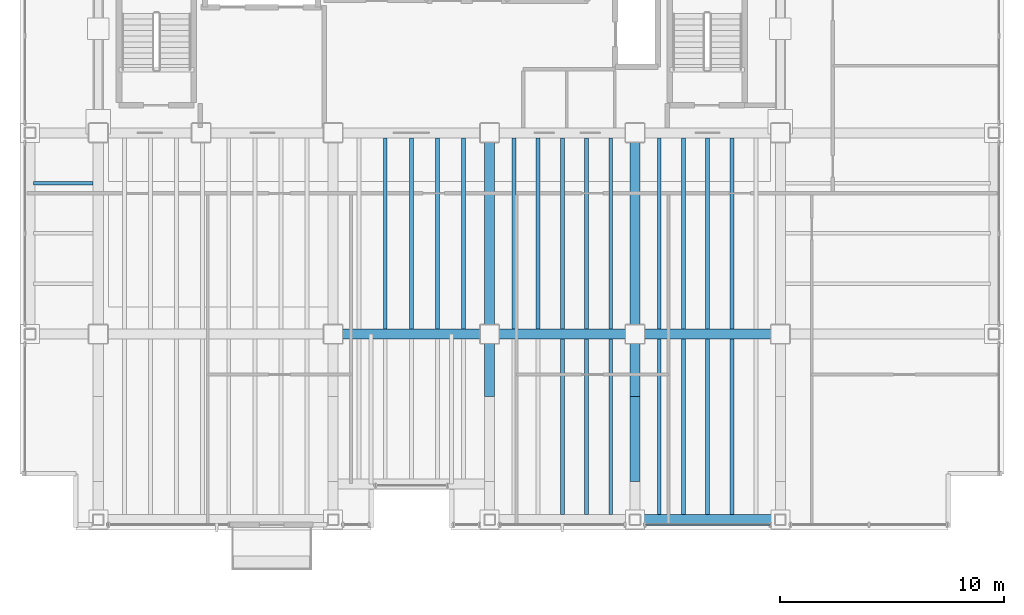
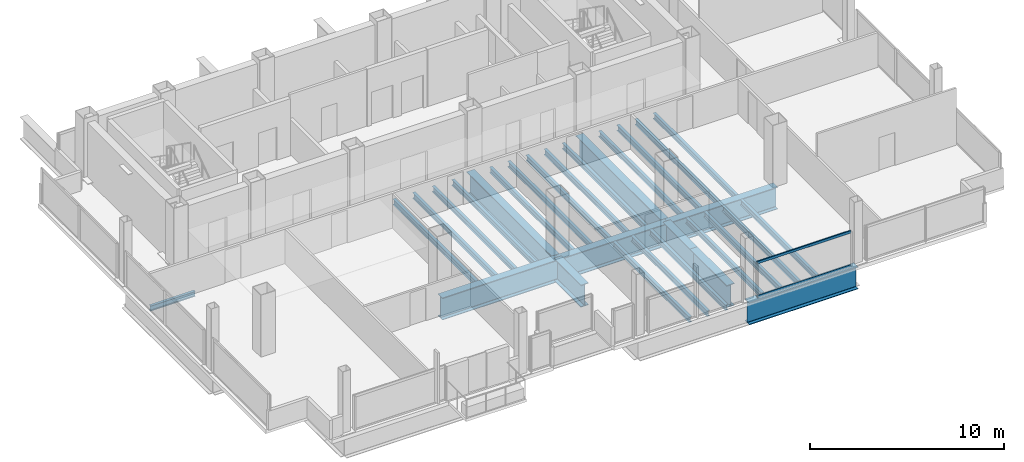
# One storey, part 5 of 17: 30 beams, 2 members, 1 element without a shape of its own.
"""IFC4 building model written with IfcOpenShell, lengths in metres."""

from ifc_helpers import new_model, si_unit, direction, frame, origin, origin_2d, place, context, subcontext, project, spatial, hollow_rectangle, i_section, extrude, material, material_profile, profile_set, type_object, element, aggregate, save


model = new_model("IFC4")

# Units and contexts
model_context = context("Model", 3, precision=1e-05, world=origin(), true_north=direction((0.0, 1.0)))
body_context = subcontext(model_context, "Body", "Model", "MODEL_VIEW")
ifc_project = project(units=[si_unit("LENGTHUNIT", "METRE"), si_unit("AREAUNIT", "SQUARE_METRE"), si_unit("VOLUMEUNIT", "CUBIC_METRE"), si_unit("PLANEANGLEUNIT", "RADIAN"), si_unit("MASSUNIT", "GRAM", prefix="KILO")], contexts=[model_context])

# Site, building, storey
site_placement = place(None, origin())
site = spatial("IfcSite", under=ifc_project, at=site_placement, CompositionType="ELEMENT")
building_placement = place(site_placement, origin())
building = spatial("IfcBuilding", under=site, at=building_placement, Name="Noeulbin Bourse Tower", CompositionType="ELEMENT")
storey_placement = place(building_placement, frame((0.0, 0.0, 196.800048828125)))
storey = spatial("IfcBuildingStorey", under=building, at=storey_placement, Name="L49", CompositionType="ELEMENT", Elevation=196.800048828125)

# Beams
ifc_material_1 = material(Name="Steel S355", Category="steel")
ifc_material_profile_1 = material_profile(ifc_material_1, i_section(OverallWidth=0.159912109375, OverallDepth=0.320068359375, WebThickness=0.006591796875, FlangeThickness=0.010009765625, FilletRadius=0.012939453125, at=origin_2d()), Name="H-320x160x6.5x10", Category="LoadBearing")
ifc_profile_set_1 = profile_set([ifc_material_profile_1], Name="Steel S355")
beam_type_1 = type_object("IfcBeamType", Name="BM-JST-320", PredefinedType="JOIST", material=ifc_profile_set_1)
beam_1_placement = place(storey_placement, frame((10.60009765625, 26.75, -0.400146484375), z_axis=(1.0, 0.0, 0.0), x_axis=(0.0, 1.0, 0.0)))
element("IfcBeam", 1, at=beam_1_placement, inside=storey, type_object=beam_type_1, Name="Wing Composite Joist L49-W49", PredefinedType="JOIST", context=body_context, shape_type="SweptSolid", body=[
    extrude(i_section(OverallWidth=0.159912109375, OverallDepth=0.320068359375, WebThickness=0.006591796875, FlangeThickness=0.010009765625, FilletRadius=0.012939453125, at=origin_2d()), origin(), (0.0, 0.0, 1.0), 2.6748046875),
])
ifc_material_profile_2 = material_profile(ifc_material_1, i_section(OverallWidth=0.175048828125, OverallDepth=0.35009765625, WebThickness=0.007080078125, FlangeThickness=0.010986328125, FilletRadius=0.013916015625, at=origin_2d()), Name="H-350x175x7x11", Category="LoadBearing")
ifc_profile_set_2 = profile_set([ifc_material_profile_2], Name="Steel S355")
beam_type_2 = type_object("IfcBeamType", Name="BM-JST-350", PredefinedType="JOIST", material=ifc_profile_set_2)
for number, where, z_axis, x_axis, name in (
    (2, (26.333251953125, 20.22509765625, -0.4150390625), (0.0, 1.0, 0.0), (-1.0, 0.0, 0.0), "Tower Composite Joist L49-20"),
    (3, (27.5, 20.22509765625, -0.4150390625), (0.0, 1.0, 0.0), (-1.0, 0.0, 0.0), "Tower Composite Joist L49-22"),
    (4, (28.666748046875, 20.22509765625, -0.4150390625), (0.0, 1.0, 0.0), (-1.0, 0.0, 0.0), "Tower Composite Joist L49-24"),
    (5, (29.833251953125, 20.22509765625, -0.4150390625), (0.0, 1.0, 0.0), (-1.0, 0.0, 0.0), "Tower Composite Joist L49-26"),
    (6, (32.083251953125, 20.22509765625, -0.4150390625), (0.0, 1.0, 0.0), (-1.0, 0.0, 0.0), "Tower Composite Joist L49-28"),
    (7, (33.166748046875, 20.22509765625, -0.4150390625), (0.0, 1.0, 0.0), (-1.0, 0.0, 0.0), "Tower Composite Joist L49-30"),
):
    element("IfcBeam", number, at=place(storey_placement, frame(where, z_axis=z_axis, x_axis=x_axis)), inside=storey, type_object=beam_type_2, Name=name, PredefinedType="JOIST", context=body_context, shape_type="SweptSolid", body=[
        extrude(i_section(OverallWidth=0.175048828125, OverallDepth=0.35009765625, WebThickness=0.007080078125, FlangeThickness=0.010986328125, FilletRadius=0.013916015625, at=origin_2d()), origin(), (0.0, 0.0, 1.0), 8.5498046875),
    ])
beam_2_placement = place(storey_placement, frame((34.25, 11.925048828125, -0.4150390625), z_axis=(0.0, 1.0, 0.0), x_axis=(-1.0, 0.0, 0.0)))
element("IfcBeam", 8, at=beam_2_placement, inside=storey, type_object=beam_type_2, Name="Tower Composite Joist L49-31", PredefinedType="JOIST", context=body_context, shape_type="SweptSolid", body=[
    extrude(i_section(OverallWidth=0.175048828125, OverallDepth=0.35009765625, WebThickness=0.007080078125, FlangeThickness=0.010986328125, FilletRadius=0.013916015625, at=origin_2d()), origin(), (0.0, 0.0, 1.0), 7.849853515625),
])
beam_3_placement = place(storey_placement, frame((34.25, 20.22509765625, -0.4150390625), z_axis=(0.0, 1.0, 0.0), x_axis=(-1.0, 0.0, 0.0)))
element("IfcBeam", 9, at=beam_3_placement, inside=storey, type_object=beam_type_2, Name="Tower Composite Joist L49-32", PredefinedType="JOIST", context=body_context, shape_type="SweptSolid", body=[
    extrude(i_section(OverallWidth=0.175048828125, OverallDepth=0.35009765625, WebThickness=0.007080078125, FlangeThickness=0.010986328125, FilletRadius=0.013916015625, at=origin_2d()), origin(), (0.0, 0.0, 1.0), 8.5498046875),
])
beam_4_placement = place(storey_placement, frame((35.333251953125, 11.925048828125, -0.4150390625), z_axis=(0.0, 1.0, 0.0), x_axis=(-1.0, 0.0, 0.0)))
element("IfcBeam", 10, at=beam_4_placement, inside=storey, type_object=beam_type_2, Name="Tower Composite Joist L49-33", PredefinedType="JOIST", context=body_context, shape_type="SweptSolid", body=[
    extrude(i_section(OverallWidth=0.175048828125, OverallDepth=0.35009765625, WebThickness=0.007080078125, FlangeThickness=0.010986328125, FilletRadius=0.013916015625, at=origin_2d()), origin(), (0.0, 0.0, 1.0), 7.849853515625),
])
beam_5_placement = place(storey_placement, frame((35.333251953125, 20.22509765625, -0.4150390625), z_axis=(0.0, 1.0, 0.0), x_axis=(-1.0, 0.0, 0.0)))
element("IfcBeam", 11, at=beam_5_placement, inside=storey, type_object=beam_type_2, Name="Tower Composite Joist L49-34", PredefinedType="JOIST", context=body_context, shape_type="SweptSolid", body=[
    extrude(i_section(OverallWidth=0.175048828125, OverallDepth=0.35009765625, WebThickness=0.007080078125, FlangeThickness=0.010986328125, FilletRadius=0.013916015625, at=origin_2d()), origin(), (0.0, 0.0, 1.0), 8.5498046875),
])
beam_6_placement = place(storey_placement, frame((36.416748046875, 11.925048828125, -0.4150390625), z_axis=(0.0, 1.0, 0.0), x_axis=(-1.0, 0.0, 0.0)))
element("IfcBeam", 12, at=beam_6_placement, inside=storey, type_object=beam_type_2, Name="Tower Composite Joist L49-35", PredefinedType="JOIST", context=body_context, shape_type="SweptSolid", body=[
    extrude(i_section(OverallWidth=0.175048828125, OverallDepth=0.35009765625, WebThickness=0.007080078125, FlangeThickness=0.010986328125, FilletRadius=0.013916015625, at=origin_2d()), origin(), (0.0, 0.0, 1.0), 7.849853515625),
])
beam_7_placement = place(storey_placement, frame((36.416748046875, 20.22509765625, -0.4150390625), z_axis=(0.0, 1.0, 0.0), x_axis=(-1.0, 0.0, 0.0)))
element("IfcBeam", 13, at=beam_7_placement, inside=storey, type_object=beam_type_2, Name="Tower Composite Joist L49-36", PredefinedType="JOIST", context=body_context, shape_type="SweptSolid", body=[
    extrude(i_section(OverallWidth=0.175048828125, OverallDepth=0.35009765625, WebThickness=0.007080078125, FlangeThickness=0.010986328125, FilletRadius=0.013916015625, at=origin_2d()), origin(), (0.0, 0.0, 1.0), 8.5498046875),
])
beam_8_placement = place(storey_placement, frame((38.583251953125, 11.925048828125, -0.4150390625), z_axis=(0.0, 1.0, 0.0), x_axis=(-1.0, 0.0, 0.0)))
element("IfcBeam", 14, at=beam_8_placement, inside=storey, type_object=beam_type_2, Name="Tower Composite Joist L49-37", PredefinedType="JOIST", context=body_context, shape_type="SweptSolid", body=[
    extrude(i_section(OverallWidth=0.175048828125, OverallDepth=0.35009765625, WebThickness=0.007080078125, FlangeThickness=0.010986328125, FilletRadius=0.013916015625, at=origin_2d()), origin(), (0.0, 0.0, 1.0), 7.849853515625),
])
beam_9_placement = place(storey_placement, frame((38.583251953125, 20.22509765625, -0.4150390625), z_axis=(0.0, 1.0, 0.0), x_axis=(-1.0, 0.0, 0.0)))
element("IfcBeam", 15, at=beam_9_placement, inside=storey, type_object=beam_type_2, Name="Tower Composite Joist L49-38", PredefinedType="JOIST", context=body_context, shape_type="SweptSolid", body=[
    extrude(i_section(OverallWidth=0.175048828125, OverallDepth=0.35009765625, WebThickness=0.007080078125, FlangeThickness=0.010986328125, FilletRadius=0.013916015625, at=origin_2d()), origin(), (0.0, 0.0, 1.0), 8.5498046875),
])
beam_10_placement = place(storey_placement, frame((39.666748046875, 11.925048828125, -0.4150390625), z_axis=(0.0, 1.0, 0.0), x_axis=(-1.0, 0.0, 0.0)))
element("IfcBeam", 16, at=beam_10_placement, inside=storey, type_object=beam_type_2, Name="Tower Composite Joist L49-39", PredefinedType="JOIST", context=body_context, shape_type="SweptSolid", body=[
    extrude(i_section(OverallWidth=0.175048828125, OverallDepth=0.35009765625, WebThickness=0.007080078125, FlangeThickness=0.010986328125, FilletRadius=0.013916015625, at=origin_2d()), origin(), (0.0, 0.0, 1.0), 7.849853515625),
])
beam_11_placement = place(storey_placement, frame((39.666748046875, 20.22509765625, -0.4150390625), z_axis=(0.0, 1.0, 0.0), x_axis=(-1.0, 0.0, 0.0)))
element("IfcBeam", 17, at=beam_11_placement, inside=storey, type_object=beam_type_2, Name="Tower Composite Joist L49-40", PredefinedType="JOIST", context=body_context, shape_type="SweptSolid", body=[
    extrude(i_section(OverallWidth=0.175048828125, OverallDepth=0.35009765625, WebThickness=0.007080078125, FlangeThickness=0.010986328125, FilletRadius=0.013916015625, at=origin_2d()), origin(), (0.0, 0.0, 1.0), 8.5498046875),
])
beam_12_placement = place(storey_placement, frame((40.75, 11.925048828125, -0.4150390625), z_axis=(0.0, 1.0, 0.0), x_axis=(-1.0, 0.0, 0.0)))
element("IfcBeam", 18, at=beam_12_placement, inside=storey, type_object=beam_type_2, Name="Tower Composite Joist L49-41", PredefinedType="JOIST", context=body_context, shape_type="SweptSolid", body=[
    extrude(i_section(OverallWidth=0.175048828125, OverallDepth=0.35009765625, WebThickness=0.007080078125, FlangeThickness=0.010986328125, FilletRadius=0.013916015625, at=origin_2d()), origin(), (0.0, 0.0, 1.0), 7.849853515625),
])
beam_13_placement = place(storey_placement, frame((40.75, 20.22509765625, -0.4150390625), z_axis=(0.0, 1.0, 0.0), x_axis=(-1.0, 0.0, 0.0)))
element("IfcBeam", 19, at=beam_13_placement, inside=storey, type_object=beam_type_2, Name="Tower Composite Joist L49-42", PredefinedType="JOIST", context=body_context, shape_type="SweptSolid", body=[
    extrude(i_section(OverallWidth=0.175048828125, OverallDepth=0.35009765625, WebThickness=0.007080078125, FlangeThickness=0.010986328125, FilletRadius=0.013916015625, at=origin_2d()), origin(), (0.0, 0.0, 1.0), 8.5498046875),
])
beam_14_placement = place(storey_placement, frame((41.833251953125, 11.925048828125, -0.4150390625), z_axis=(0.0, 1.0, 0.0), x_axis=(-1.0, 0.0, 0.0)))
element("IfcBeam", 20, at=beam_14_placement, inside=storey, type_object=beam_type_2, Name="Tower Composite Joist L49-43", PredefinedType="JOIST", context=body_context, shape_type="SweptSolid", body=[
    extrude(i_section(OverallWidth=0.175048828125, OverallDepth=0.35009765625, WebThickness=0.007080078125, FlangeThickness=0.010986328125, FilletRadius=0.013916015625, at=origin_2d()), origin(), (0.0, 0.0, 1.0), 7.849853515625),
])
beam_15_placement = place(storey_placement, frame((41.833251953125, 20.22509765625, -0.4150390625), z_axis=(0.0, 1.0, 0.0), x_axis=(-1.0, 0.0, 0.0)))
element("IfcBeam", 21, at=beam_15_placement, inside=storey, type_object=beam_type_2, Name="Tower Composite Joist L49-44", PredefinedType="JOIST", context=body_context, shape_type="SweptSolid", body=[
    extrude(i_section(OverallWidth=0.175048828125, OverallDepth=0.35009765625, WebThickness=0.007080078125, FlangeThickness=0.010986328125, FilletRadius=0.013916015625, at=origin_2d()), origin(), (0.0, 0.0, 1.0), 8.5498046875),
])
ifc_material_2 = material(Name="Steel S460", Category="steel")
ifc_material_profile_3 = material_profile(ifc_material_2, i_section(OverallWidth=0.449951171875, OverallDepth=1.39990234375, WebThickness=0.02392578125, FlangeThickness=0.0400390625, FilletRadius=0.02392578125, at=origin_2d()), Name="PG-1400x450x24x40", Category="LoadBearing")
ifc_profile_set_3 = profile_set([ifc_material_profile_3], Name="Steel S460")
beam_type_3 = type_object("IfcBeamType", Name="BM-TRF-1400", PredefinedType="USERDEFINED", material=ifc_profile_set_3)
beam_16_placement = place(storey_placement, frame((24.0, 20.0, -0.93994140625), z_axis=(1.0, 0.0, 0.0), x_axis=(0.0, 1.0, 0.0)))
element("IfcBeam", 22, at=beam_16_placement, inside=storey, type_object=beam_type_3, Name="Tower Primary Girder EW L49-1.3", ObjectType="GIRDER", PredefinedType="USERDEFINED", context=body_context, shape_type="SweptSolid", body=[
    extrude(i_section(OverallWidth=0.449951171875, OverallDepth=1.39990234375, WebThickness=0.02392578125, FlangeThickness=0.0400390625, FilletRadius=0.02392578125, at=origin_2d()), origin(), (0.0, 0.0, 1.0), 7.0),
])
for number, where, z_axis, x_axis, name in (
    (23, (31.0, 20.0, -0.93994140625), (1.0, 0.0, 0.0), (0.0, 1.0, 0.0), "Tower Primary Girder EW L49-1.4"),
    (24, (37.5, 20.0, -0.93994140625), (1.0, 0.0, 0.0), (0.0, 1.0, 0.0), "Tower Primary Girder EW L49-1.5"),
):
    element("IfcBeam", number, at=place(storey_placement, frame(where, z_axis=z_axis, x_axis=x_axis)), inside=storey, type_object=beam_type_3, Name=name, ObjectType="GIRDER", PredefinedType="USERDEFINED", context=body_context, shape_type="SweptSolid", body=[
        extrude(i_section(OverallWidth=0.449951171875, OverallDepth=1.39990234375, WebThickness=0.02392578125, FlangeThickness=0.0400390625, FilletRadius=0.02392578125, at=origin_2d()), origin(), (0.0, 0.0, 1.0), 6.5),
    ])
beam_17_placement = place(storey_placement, frame((31.0, 17.199951171875, -0.93994140625), z_axis=(0.0, 1.0, 0.0), x_axis=(-1.0, 0.0, 0.0)))
element("IfcBeam", 25, at=beam_17_placement, inside=storey, type_object=beam_type_3, Name="Tower Primary Girder NS L49-3.3", ObjectType="GIRDER", PredefinedType="USERDEFINED", context=body_context, shape_type="SweptSolid", body=[
    extrude(i_section(OverallWidth=0.449951171875, OverallDepth=1.39990234375, WebThickness=0.02392578125, FlangeThickness=0.0400390625, FilletRadius=0.02392578125, at=origin_2d()), origin(), (0.0, 0.0, 1.0), 2.800048828125),
])
beam_18_placement = place(storey_placement, frame((31.0, 20.0, -0.93994140625), z_axis=(0.0, 1.0, 0.0), x_axis=(-1.0, 0.0, 0.0)))
element("IfcBeam", 26, at=beam_18_placement, inside=storey, type_object=beam_type_3, Name="Tower Primary Girder NS L49-3.4", ObjectType="GIRDER", PredefinedType="USERDEFINED", context=body_context, shape_type="SweptSolid", body=[
    extrude(i_section(OverallWidth=0.449951171875, OverallDepth=1.39990234375, WebThickness=0.02392578125, FlangeThickness=0.0400390625, FilletRadius=0.02392578125, at=origin_2d()), origin(), (0.0, 0.0, 1.0), 9.0),
])
beam_19_placement = place(storey_placement, frame((37.5, 13.39990234375, -0.93994140625), z_axis=(0.0, 1.0, 0.0), x_axis=(-1.0, 0.0, 0.0)))
element("IfcBeam", 27, at=beam_19_placement, inside=storey, type_object=beam_type_3, Name="Tower Primary Girder NS L49-4.2", ObjectType="GIRDER", PredefinedType="USERDEFINED", context=body_context, shape_type="SweptSolid", body=[
    extrude(i_section(OverallWidth=0.449951171875, OverallDepth=1.39990234375, WebThickness=0.02392578125, FlangeThickness=0.0400390625, FilletRadius=0.02392578125, at=origin_2d()), origin(), (0.0, 0.0, 1.0), 3.800048828125),
])
beam_20_placement = place(storey_placement, frame((37.5, 17.199951171875, -0.93994140625), z_axis=(0.0, 1.0, 0.0), x_axis=(-1.0, 0.0, 0.0)))
element("IfcBeam", 28, at=beam_20_placement, inside=storey, type_object=beam_type_3, Name="Tower Primary Girder NS L49-4.3", ObjectType="GIRDER", PredefinedType="USERDEFINED", context=body_context, shape_type="SweptSolid", body=[
    extrude(i_section(OverallWidth=0.449951171875, OverallDepth=1.39990234375, WebThickness=0.02392578125, FlangeThickness=0.0400390625, FilletRadius=0.02392578125, at=origin_2d()), origin(), (0.0, 0.0, 1.0), 2.800048828125),
])
beam_21_placement = place(storey_placement, frame((37.5, 20.0, -0.93994140625), z_axis=(0.0, 1.0, 0.0), x_axis=(-1.0, 0.0, 0.0)))
element("IfcBeam", 29, at=beam_21_placement, inside=storey, type_object=beam_type_3, Name="Tower Primary Girder NS L49-4.4", ObjectType="GIRDER", PredefinedType="USERDEFINED", context=body_context, shape_type="SweptSolid", body=[
    extrude(i_section(OverallWidth=0.449951171875, OverallDepth=1.39990234375, WebThickness=0.02392578125, FlangeThickness=0.0400390625, FilletRadius=0.02392578125, at=origin_2d()), origin(), (0.0, 0.0, 1.0), 9.0),
])
beam_22_placement = place(storey_placement, frame((37.5, 11.699951171875, -0.93994140625), z_axis=(1.0, 0.0, 0.0), x_axis=(0.0, 1.0, 0.0)))
element("IfcBeam", 30, at=beam_22_placement, inside=storey, type_object=beam_type_3, Name="South Spandrel L49-4", ObjectType="GIRDER", PredefinedType="USERDEFINED", context=body_context, shape_type="SweptSolid", body=[
    extrude(i_section(OverallWidth=0.449951171875, OverallDepth=1.39990234375, WebThickness=0.02392578125, FlangeThickness=0.0400390625, FilletRadius=0.02392578125, at=origin_2d()), origin(), (0.0, 0.0, 1.0), 6.5),
])

# Curtain wall, members
ifc_material_3 = material(Name="Dark Tinted Triple Glazing", Category="glass")
curtain_wall_type = type_object("IfcCurtainWallType", Name="CW-SYS-3", PredefinedType="NOTDEFINED", material=ifc_material_3)
curtain_wall_placement = place(storey_placement, origin())
curtain_wall = element("IfcCurtainWall", 31, at=curtain_wall_placement, inside=storey, type_object=curtain_wall_type, Name="Unitised Curtain Wall CW-L49-S3-S3", PredefinedType="NOTDEFINED")
ifc_material_4 = material(Name="Anodised Aluminium 6063-T6", Category="aluminium")
ifc_material_profile_4 = material_profile(ifc_material_4, hollow_rectangle(XDim=0.074951171875, YDim=0.159912109375, WallThickness=0.0048828125, InnerFilletRadius=0.00244140625, OuterFilletRadius=0.0048828125, at=origin_2d()), Name="ALU-TRAN-75x160x5", Category="LoadBearing")
ifc_profile_set_4 = profile_set([ifc_material_profile_4], Name="Anodised Aluminium 6063-T6")
member_type = type_object("IfcMemberType", Name="CW-SYS-3-TRN", PredefinedType="USERDEFINED", material=ifc_profile_set_4)
member_1_placement = place(storey_placement, frame((37.9599609375, 11.469970703125, 0.010009765625), z_axis=(1.0, 0.0, 0.0), x_axis=(0.0, 1.0, 0.0)))
member_1 = element("IfcMember", 32, at=member_1_placement, type_object=member_type, Name="Curtain Wall Transom CW-L49-S3-S3-T00", ObjectType="TRANSOM", PredefinedType="USERDEFINED", context=body_context, shape_type="SweptSolid", body=[
    extrude(hollow_rectangle(XDim=0.074951171875, YDim=0.159912109375, WallThickness=0.0048828125, InnerFilletRadius=0.00244140625, OuterFilletRadius=0.0048828125, at=origin_2d()), origin(), (0.0, 0.0, 1.0), 5.580078125),
])
member_2_placement = place(storey_placement, frame((37.9599609375, 11.469970703125, 2.14990234375), z_axis=(1.0, 0.0, 0.0), x_axis=(0.0, 1.0, 0.0)))
member_2 = element("IfcMember", 33, at=member_2_placement, type_object=member_type, Name="Curtain Wall Transom CW-L49-S3-S3-T01", ObjectType="TRANSOM", PredefinedType="USERDEFINED", context=body_context, shape_type="SweptSolid", body=[
    extrude(hollow_rectangle(XDim=0.074951171875, YDim=0.159912109375, WallThickness=0.0048828125, InnerFilletRadius=0.00244140625, OuterFilletRadius=0.0048828125, at=origin_2d()), origin(), (0.0, 0.0, 1.0), 5.580078125),
])
aggregate(curtain_wall, [member_1, member_2])

save(model, "model.ifc")
